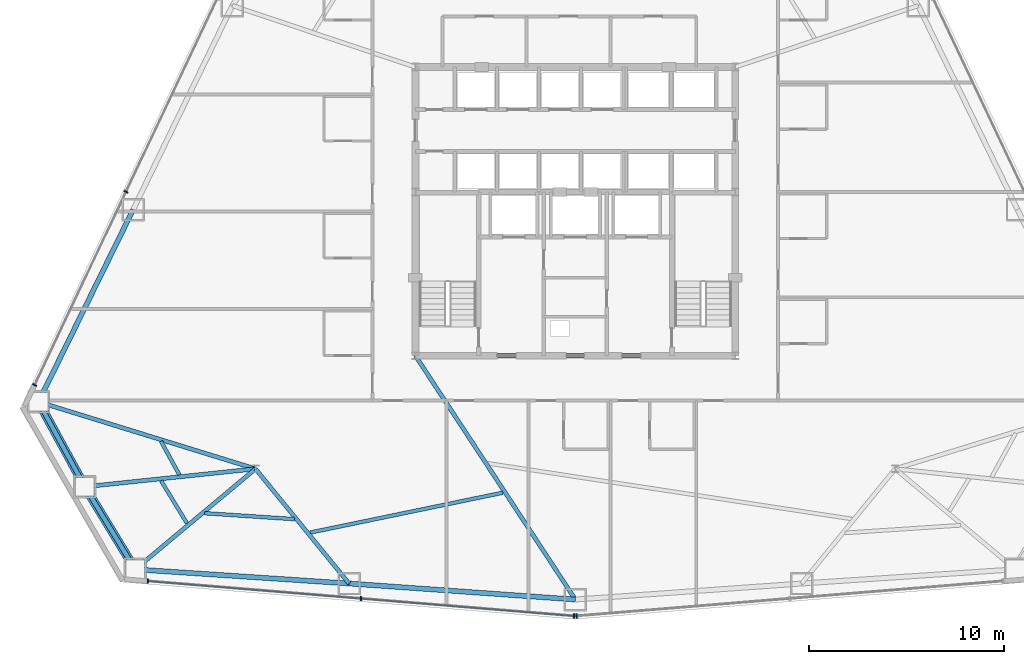
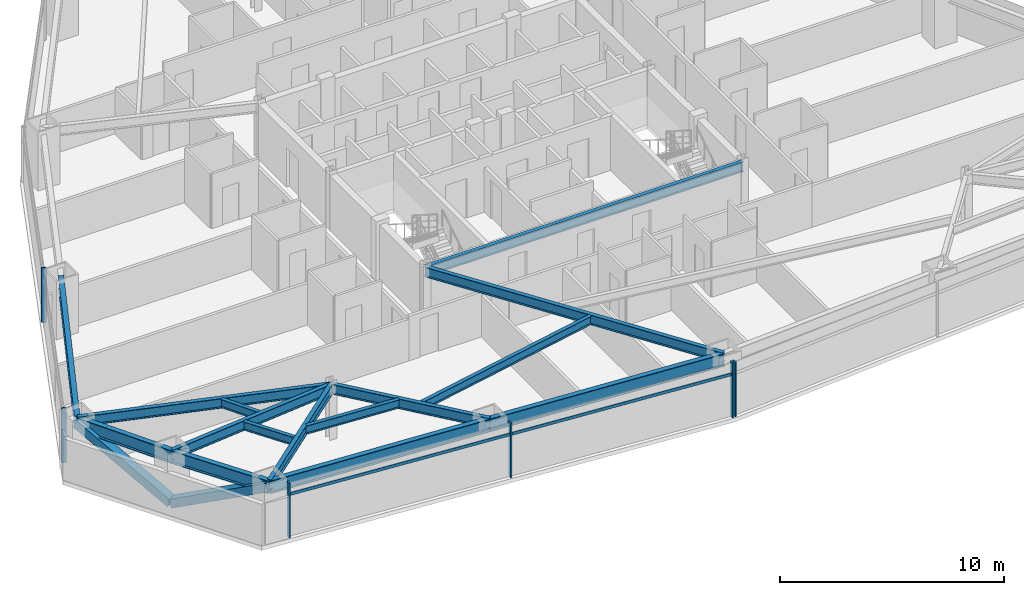
# One storey, part 4 of 13: 15 beams, 9 members, 3 elements without a shape of their own.
"""IFC4 building model written with IfcOpenShell, lengths in metres."""

from ifc_helpers import new_model, si_unit, direction, frame, origin, origin_2d, place, context, subcontext, project, spatial, rectangle, hollow_rectangle, i_section, extrude, source, transform, mapped, material, layer, layer_set, material_profile, profile_set, type_object, type_shapes, element, aggregate, save


model = new_model("IFC4")

# Units and contexts
model_context = context("Model", 3, precision=1e-05, world=origin(), true_north=direction((0.0, 1.0)))
body_context = subcontext(model_context, "Body", "Model", "MODEL_VIEW")
ifc_project = project(units=[si_unit("LENGTHUNIT", "METRE"), si_unit("AREAUNIT", "SQUARE_METRE"), si_unit("VOLUMEUNIT", "CUBIC_METRE"), si_unit("PLANEANGLEUNIT", "RADIAN"), si_unit("MASSUNIT", "GRAM", prefix="KILO")], contexts=[model_context])

# Site, building, storey
site_placement = place(None, origin())
site = spatial("IfcSite", under=ifc_project, at=site_placement, CompositionType="ELEMENT")
building_placement = place(site_placement, origin())
building = spatial("IfcBuilding", under=site, at=building_placement, Name="Varakhsha Concourse Tower", CompositionType="ELEMENT")
storey_placement = place(building_placement, frame((0.0, 0.0, 49.60009765625)))
storey = spatial("IfcBuildingStorey", under=building, at=storey_placement, Name="L13", CompositionType="ELEMENT", Elevation=49.60009765625)

# Beams
ifc_material_1 = material(Name="Structural Steel ASTM A992 Grade 50", Category="steel")
ifc_material_profile_1 = material_profile(ifc_material_1, i_section(OverallWidth=0.19091796875, OverallDepth=0.45703125, WebThickness=0.009033203125, FlangeThickness=0.013916015625, at=origin_2d()), Name="W18X50")
ifc_profile_set_1 = profile_set([ifc_material_profile_1], Name="Structural Steel ASTM A992 Grade 50")
beam_type_1 = type_object("IfcBeamType", Name="BM-JST-W18X50", PredefinedType="JOIST", material=ifc_profile_set_1)
beam_1_placement = place(storey_placement, frame((18.75830078125, 12.01416015625, 2.75146484375), z_axis=(0.479375204498, -0.877610057664, 0.0), x_axis=(0.877610057664, 0.479375204498, 0.0)))
element("IfcBeam", 1, at=beam_1_placement, inside=storey, type_object=beam_type_1, Name="BM-TJST-L13-07", PredefinedType="JOIST", context=body_context, shape_type="SweptSolid", body=[
    extrude(i_section(OverallWidth=0.19091796875, OverallDepth=0.45703125, WebThickness=0.009033203125, FlangeThickness=0.013916015625, at=origin_2d()), origin(), (0.0, 0.0, 1.0), 1.961669921875),
])
beam_2_placement = place(storey_placement, frame((18.759033203125, 9.99169921875, 2.75146484375), z_axis=(0.520352766651, -0.853951402738, 0.0), x_axis=(0.853951402738, 0.520352766651, 0.0)))
element("IfcBeam", 2, at=beam_2_placement, inside=storey, type_object=beam_type_1, Name="BM-TJST-L13-08", PredefinedType="JOIST", context=body_context, shape_type="SweptSolid", body=[
    extrude(i_section(OverallWidth=0.19091796875, OverallDepth=0.45703125, WebThickness=0.009033203125, FlangeThickness=0.013916015625, at=origin_2d()), origin(), (0.0, 0.0, 1.0), 2.55712890625),
])
beam_3_placement = place(storey_placement, frame((20.99658203125, 8.3251953125, 2.75146484375), z_axis=(0.997818733044, -0.066013453077, 0.0), x_axis=(0.066013453077, 0.997818733044, 0.0)))
element("IfcBeam", 3, at=beam_3_placement, inside=storey, type_object=beam_type_1, Name="BM-TJST-L13-09", PredefinedType="JOIST", context=body_context, shape_type="SweptSolid", body=[
    extrude(i_section(OverallWidth=0.19091796875, OverallDepth=0.45703125, WebThickness=0.009033203125, FlangeThickness=0.013916015625, at=origin_2d()), origin(), (0.0, 0.0, 1.0), 4.615478515625),
])
beam_4_placement = place(storey_placement, frame((26.3955078125, 7.329833984375, 2.75146484375), z_axis=(0.97923229182, 0.202741506992, 0.0), x_axis=(-0.202741506992, 0.97923229182, 0.0)))
element("IfcBeam", 4, at=beam_4_placement, inside=storey, type_object=beam_type_1, Name="BM-TJST-L13-10", PredefinedType="JOIST", context=body_context, shape_type="SweptSolid", body=[
    extrude(i_section(OverallWidth=0.19091796875, OverallDepth=0.45703125, WebThickness=0.009033203125, FlangeThickness=0.013916015625, at=origin_2d()), origin(), (0.0, 0.0, 1.0), 10.098388671875),
])
ifc_material_profile_2 = material_profile(ifc_material_1, i_section(OverallWidth=0.2109375, OverallDepth=0.5390625, WebThickness=0.011962890625, FlangeThickness=0.01904296875, at=origin_2d()), Name="W21X73")
ifc_profile_set_2 = profile_set([ifc_material_profile_2], Name="Structural Steel ASTM A992 Grade 50")
beam_type_2 = type_object("IfcBeamType", Name="BM-RAD-W21X73", PredefinedType="BEAM", material=ifc_profile_set_2)
beam_5_placement = place(storey_placement, frame((31.800048828125, 16.39990234375, 2.71044921875), z_axis=(1.0, 0.0, 0.0), x_axis=(0.0, 1.0, 0.0)))
element("IfcBeam", 5, at=beam_5_placement, inside=storey, type_object=beam_type_2, Name="BM-TCORE-L13-CS", PredefinedType="BEAM", context=body_context, shape_type="SweptSolid", body=[
    extrude(i_section(OverallWidth=0.2109375, OverallDepth=0.5390625, WebThickness=0.011962890625, FlangeThickness=0.01904296875, at=origin_2d()), origin(), (0.0, 0.0, 1.0), 16.39990234375),
])
beam_6_placement = place(storey_placement, frame((23.60009765625, 10.60009765625, 2.71044921875), z_axis=(-0.955523369022, 0.294915396773, 0.0), x_axis=(-0.294915396773, -0.955523369022, 0.0)))
element("IfcBeam", 6, at=beam_6_placement, inside=storey, type_object=beam_type_2, Name="L13 Radial Floor Girder 07", PredefinedType="BEAM", context=body_context, shape_type="SweptSolid", body=[
    extrude(i_section(OverallWidth=0.2109375, OverallDepth=0.5390625, WebThickness=0.011962890625, FlangeThickness=0.01904296875, at=origin_2d()), origin(), (0.0, 0.0, 1.0), 11.641845703125),
])
beam_7_placement = place(storey_placement, frame((23.60009765625, 10.60009765625, 2.71044921875), z_axis=(-0.994529307573, -0.104457916778, 0.0), x_axis=(0.104457916778, -0.994529307573, 0.0)))
element("IfcBeam", 7, at=beam_7_placement, inside=storey, type_object=beam_type_2, Name="L13 Radial Floor Girder 08", PredefinedType="BEAM", context=body_context, shape_type="SweptSolid", body=[
    extrude(i_section(OverallWidth=0.2109375, OverallDepth=0.5390625, WebThickness=0.011962890625, FlangeThickness=0.01904296875, at=origin_2d()), origin(), (0.0, 0.0, 1.0), 8.794921875),
])
beam_8_placement = place(storey_placement, frame((23.60009765625, 10.60009765625, 2.71044921875), z_axis=(-0.767329066502, -0.641253540887, 0.0), x_axis=(0.641253540887, -0.767329066502, 0.0)))
element("IfcBeam", 8, at=beam_8_placement, inside=storey, type_object=beam_type_2, Name="L13 Radial Floor Girder 09", PredefinedType="BEAM", context=body_context, shape_type="SweptSolid", body=[
    extrude(i_section(OverallWidth=0.2109375, OverallDepth=0.5390625, WebThickness=0.011962890625, FlangeThickness=0.01904296875, at=origin_2d()), origin(), (0.0, 0.0, 1.0), 8.036376953125),
])
beam_9_placement = place(storey_placement, frame((23.60009765625, 10.60009765625, 2.71044921875), z_axis=(0.632361519262, -0.77467342084, 0.0), x_axis=(0.77467342084, 0.632361519262, 0.0)))
element("IfcBeam", 9, at=beam_9_placement, inside=storey, type_object=beam_type_2, Name="L13 Radial Floor Girder 10", PredefinedType="BEAM", context=body_context, shape_type="SweptSolid", body=[
    extrude(i_section(OverallWidth=0.2109375, OverallDepth=0.5390625, WebThickness=0.011962890625, FlangeThickness=0.01904296875, at=origin_2d()), origin(), (0.0, 0.0, 1.0), 7.589599609375),
])
beam_10_placement = place(storey_placement, frame((31.800048828125, 16.39990234375, 2.71044921875), z_axis=(0.548485569456, -0.836160020629, 0.0), x_axis=(0.836160020629, 0.548485569456, 0.0)))
element("IfcBeam", 10, at=beam_10_placement, inside=storey, type_object=beam_type_2, Name="L13 Radial Floor Girder 11", PredefinedType="BEAM", context=body_context, shape_type="SweptSolid", body=[
    extrude(i_section(OverallWidth=0.2109375, OverallDepth=0.5390625, WebThickness=0.011962890625, FlangeThickness=0.01904296875, at=origin_2d()), origin(), (0.0, 0.0, 1.0), 14.9501953125),
])
ifc_material_profile_3 = material_profile(ifc_material_1, i_section(OverallWidth=0.25390625, OverallDepth=0.701904296875, WebThickness=0.014892578125, FlangeThickness=0.028076171875, at=origin_2d()), Name="W27X129")
ifc_profile_set_3 = profile_set([ifc_material_profile_3], Name="Structural Steel ASTM A992 Grade 50")
beam_type_3 = type_object("IfcBeamType", Name="BM-SPAN-W27X129", PredefinedType="SPANDREL", material=ifc_profile_set_3)
beam_11_placement = place(storey_placement, frame((17.330078125, 23.893310546875, 2.62890625), z_axis=(-0.441677973031, -0.897173655509, 0.0), x_axis=(0.897173655509, -0.441677973031, 0.0)))
element("IfcBeam", 11, at=beam_11_placement, inside=storey, type_object=beam_type_3, Name="BM-SPAN-L13-06", PredefinedType="SPANDREL", context=body_context, shape_type="SweptSolid", body=[
    extrude(i_section(OverallWidth=0.25390625, OverallDepth=0.701904296875, WebThickness=0.014892578125, FlangeThickness=0.028076171875, at=origin_2d()), origin(), (0.0, 0.0, 1.0), 10.989990234375),
])
beam_12_placement = place(storey_placement, frame((12.47607421875, 14.033447265625, 2.62890625), z_axis=(0.479372903145, -0.877611314723, 0.0), x_axis=(0.877611314723, 0.479372903145, 0.0)))
element("IfcBeam", 12, at=beam_12_placement, inside=storey, type_object=beam_type_3, Name="BM-SPAN-L13-07", PredefinedType="SPANDREL", context=body_context, shape_type="SweptSolid", body=[
    extrude(i_section(OverallWidth=0.25390625, OverallDepth=0.701904296875, WebThickness=0.014892578125, FlangeThickness=0.028076171875, at=origin_2d()), origin(), (0.0, 0.0, 1.0), 4.958984375),
])
beam_13_placement = place(storey_placement, frame((14.853271484375, 9.681396484375, 2.62890625), z_axis=(0.520348294869, -0.85395412759, 0.0), x_axis=(0.85395412759, 0.520348294869, 0.0)))
element("IfcBeam", 13, at=beam_13_placement, inside=storey, type_object=beam_type_3, Name="BM-SPAN-L13-08", PredefinedType="SPANDREL", context=body_context, shape_type="SweptSolid", body=[
    extrude(i_section(OverallWidth=0.25390625, OverallDepth=0.701904296875, WebThickness=0.014892578125, FlangeThickness=0.028076171875, at=origin_2d()), origin(), (0.0, 0.0, 1.0), 4.958740234375),
])
beam_14_placement = place(storey_placement, frame((17.43359375, 5.44677734375, 2.62890625), z_axis=(0.997815134751, -0.06606782017, 0.0), x_axis=(0.06606782017, 0.997815134751, 0.0)))
element("IfcBeam", 14, at=beam_14_placement, inside=storey, type_object=beam_type_3, Name="BM-SPAN-L13-09", PredefinedType="SPANDREL", context=body_context, shape_type="SweptSolid", body=[
    extrude(i_section(OverallWidth=0.25390625, OverallDepth=0.701904296875, WebThickness=0.014892578125, FlangeThickness=0.028076171875, at=origin_2d()), origin(), (0.0, 0.0, 1.0), 10.98974609375),
])
beam_15_placement = place(storey_placement, frame((28.3994140625, 4.720703125, 2.62890625), z_axis=(0.997501780615, -0.070641331168, 0.0), x_axis=(0.070641331168, 0.997501780615, 0.0)))
element("IfcBeam", 15, at=beam_15_placement, inside=storey, type_object=beam_type_3, Name="BM-SPAN-L13-10", PredefinedType="SPANDREL", context=body_context, shape_type="SweptSolid", body=[
    extrude(i_section(OverallWidth=0.25390625, OverallDepth=0.701904296875, WebThickness=0.014892578125, FlangeThickness=0.028076171875, at=origin_2d()), origin(), (0.0, 0.0, 1.0), 11.629638671875),
])

# Members
ifc_material_2 = material(Name="Structural Steel ASTM A500 Grade C", Category="steel")
ifc_material_profile_4 = material_profile(ifc_material_2, hollow_rectangle(XDim=0.449951171875, YDim=0.449951171875, WallThickness=0.01904296875, at=origin_2d()), Name="HSS 450x450x19")
ifc_profile_set_4 = profile_set([ifc_material_profile_4], Name="Structural Steel ASTM A500 Grade C")
member_type_1 = type_object("IfcMemberType", Name="MB-TUBE-HSS450", PredefinedType="BRACE", material=ifc_profile_set_4)
shared_shape_1 = source(origin(), body_context, "Body", "SweptSolid", [
    extrude(hollow_rectangle(XDim=0.449951171875, YDim=0.449951171875, WallThickness=0.01904296875, at=origin_2d()), origin(), (0.0, 0.0, 1.0), 5.580810546875),
])
member_1_placement = place(storey_placement, frame((14.853271484375, 9.681396484375, 0.119873046875), z_axis=(-0.425960053824, 0.77982581077, 0.458726211811), x_axis=(-0.877611314723, -0.479372903145, 0.0)))
element("IfcMember", 16, at=member_1_placement, inside=storey, type_object=member_type_1, Name="L13 Wind-Corner Tube Brace B03", PredefinedType="BRACE", context=body_context, shape_type="MappedRepresentation", body=[
    mapped(shared_shape_1, transform((0.0, 0.0, 0.0), scale=1.0)),
])
shared_shape_2 = source(origin(), body_context, "Body", "SweptSolid", [
    extrude(hollow_rectangle(XDim=0.449951171875, YDim=0.449951171875, WallThickness=0.01904296875, at=origin_2d()), origin(), (0.0, 0.0, 1.0), 5.58056640625),
])
type_shapes(member_type_1, [shared_shape_1, shared_shape_2])
member_2_placement = place(storey_placement, frame((14.853271484375, 9.681396484375, 0.119873046875), z_axis=(0.462367199705, -0.758800177773, 0.458736158209), x_axis=(0.85395412759, 0.520348294869, 0.0)))
element("IfcMember", 17, at=member_2_placement, inside=storey, type_object=member_type_1, Name="L13 Wind-Corner Tube Brace B04", PredefinedType="BRACE", context=body_context, shape_type="MappedRepresentation", body=[
    mapped(shared_shape_2, transform((0.0, 0.0, 0.0), scale=1.0)),
])

# Curtain wall, members
ifc_material_3 = material(Name="Anodised Bronze Architectural Aluminium AA 6063-T6", Category="aluminium")
ifc_layer = layer(ifc_material_3, 0.219970703125, Name="CW-SYS-02")
ifc_layer_set = layer_set([ifc_layer], Name="Anodised Bronze Architectural Aluminium AA 6063-T6")
curtain_wall_type = type_object("IfcCurtainWallType", Name="CW-SYS-02", PredefinedType="NOTDEFINED", material=ifc_layer_set)
curtain_wall_1_placement = place(storey_placement, origin())
curtain_wall_1 = element("IfcCurtainWall", 18, at=curtain_wall_1_placement, inside=storey, type_object=curtain_wall_type, Name="L13 Crystal Curtain Wall F3", PredefinedType="NOTDEFINED")
ifc_material_profile_5 = material_profile(ifc_material_3, rectangle(XDim=0.074951171875, YDim=0.219970703125, at=origin_2d()), Name="CWM-220X75")
ifc_profile_set_5 = profile_set([ifc_material_profile_5], Name="Anodised Bronze Architectural Aluminium AA 6063-T6")
member_type_2 = type_object("IfcMemberType", Name="CWM-220X75", PredefinedType="MULLION", material=ifc_profile_set_5)
shared_shape_3 = source(origin(), body_context, "Body", "SweptSolid", [
    extrude(rectangle(XDim=0.074951171875, YDim=0.219970703125, at=origin_2d()), origin(), (0.0, 0.0, 1.0), 2.97998046875),
])
type_shapes(member_type_2, [shared_shape_3])
member_3_placement = place(storey_placement, frame((12.278564453125, 14.898193359375, 0.0), z_axis=(0.0, 0.0, 1.0), x_axis=(0.427604003332, 0.903966158844, 0.0)))
member_3 = element("IfcMember", 19, at=member_3_placement, type_object=member_type_2, Name="CW-L13-F3 Mullion 00", PredefinedType="MULLION", context=body_context, shape_type="MappedRepresentation", body=[
    mapped(shared_shape_3, transform((0.0, 0.0, 0.0), scale=1.0)),
])
member_4_placement = place(storey_placement, frame((16.9658203125, 24.806884765625, 0.0), z_axis=(0.0, 0.0, 1.0), x_axis=(0.427604003332, 0.903966158844, 0.0)))
member_4 = element("IfcMember", 20, at=member_4_placement, type_object=member_type_2, Name="CW-L13-F3 Mullion 01", PredefinedType="MULLION", context=body_context, shape_type="MappedRepresentation", body=[
    mapped(shared_shape_3, transform((0.0, 0.0, 0.0), scale=1.0)),
])
aggregate(curtain_wall_1, [member_3, member_4])

curtain_wall_2_placement = place(storey_placement, origin())
curtain_wall_2 = element("IfcCurtainWall", 21, at=curtain_wall_2_placement, inside=storey, type_object=curtain_wall_type, Name="L13 Crystal Curtain Wall F5", PredefinedType="NOTDEFINED")
member_5_placement = place(storey_placement, frame((39.933349609375, 3.05322265625, 0.0), z_axis=(0.0, 0.0, 1.0), x_axis=(-0.996659944452, 0.081663670777, 0.0)))
member_5 = element("IfcMember", 22, at=member_5_placement, type_object=member_type_2, Name="CW-L13-F5 Mullion 00", PredefinedType="MULLION", context=body_context, shape_type="MappedRepresentation", body=[
    mapped(shared_shape_3, transform((0.0, 0.0, 0.0), scale=1.0)),
])
member_6_placement = place(storey_placement, frame((29.008544921875, 3.9482421875, 0.0), z_axis=(0.0, 0.0, 1.0), x_axis=(-0.996659944452, 0.081663670777, 0.0)))
member_6 = element("IfcMember", 23, at=member_6_placement, type_object=member_type_2, Name="CW-L13-F5 Mullion 01", PredefinedType="MULLION", context=body_context, shape_type="MappedRepresentation", body=[
    mapped(shared_shape_3, transform((0.0, 0.0, 0.0), scale=1.0)),
])
member_7_placement = place(storey_placement, frame((18.08349609375, 4.843505859375, 0.0), z_axis=(0.0, 0.0, 1.0), x_axis=(-0.996659944452, 0.081663670777, 0.0)))
member_7 = element("IfcMember", 24, at=member_7_placement, type_object=member_type_2, Name="CW-L13-F5 Mullion 02", PredefinedType="MULLION", context=body_context, shape_type="MappedRepresentation", body=[
    mapped(shared_shape_3, transform((0.0, 0.0, 0.0), scale=1.0)),
])

# Curtain wall, member
curtain_wall_3_placement = place(storey_placement, origin())
curtain_wall_3 = element("IfcCurtainWall", 25, at=curtain_wall_3_placement, inside=storey, type_object=curtain_wall_type, Name="L13 Crystal Curtain Wall F6", PredefinedType="NOTDEFINED")
member_8_placement = place(storey_placement, frame((40.066650390625, 3.05322265625, 0.0), z_axis=(0.0, 0.0, 1.0), x_axis=(-0.996659944452, -0.081663670777, 0.0)))
member_8 = element("IfcMember", 26, at=member_8_placement, type_object=member_type_2, Name="CW-L13-F6 Mullion 02", PredefinedType="MULLION", context=body_context, shape_type="MappedRepresentation", body=[
    mapped(shared_shape_3, transform((0.0, 0.0, 0.0), scale=1.0)),
])
aggregate(curtain_wall_3, [member_8])

# Member
ifc_material_profile_6 = material_profile(ifc_material_3, rectangle(XDim=0.06494140625, YDim=0.159912109375, at=origin_2d()), Name="CWT-160X65")
ifc_profile_set_6 = profile_set([ifc_material_profile_6], Name="Anodised Bronze Architectural Aluminium AA 6063-T6")
member_type_3 = type_object("IfcMemberType", Name="CWT-160X65", PredefinedType="USERDEFINED", material=ifc_profile_set_6)
shared_shape_4 = source(origin(), body_context, "Body", "SweptSolid", [
    extrude(rectangle(XDim=0.06494140625, YDim=0.159912109375, at=origin_2d()), origin(), (0.0, 0.0, 1.0), 21.923095703125),
])
type_shapes(member_type_3, [shared_shape_4])
member_9_placement = place(storey_placement, frame((39.933349609375, 3.05322265625, 2.329833984375), z_axis=(-0.996660077382, 0.08166204842, 0.0), x_axis=(-0.08166204842, -0.996660077382, 0.0)))
member_9 = element("IfcMember", 27, at=member_9_placement, type_object=member_type_3, Name="CW-L13-F5 Transom 01", ObjectType="TRANSOM", PredefinedType="USERDEFINED", context=body_context, shape_type="MappedRepresentation", body=[
    mapped(shared_shape_4, transform((0.0, 0.0, 0.0), scale=1.0)),
])

aggregate(curtain_wall_2, [member_5, member_6, member_7, member_9])

save(model, "model.ifc")
